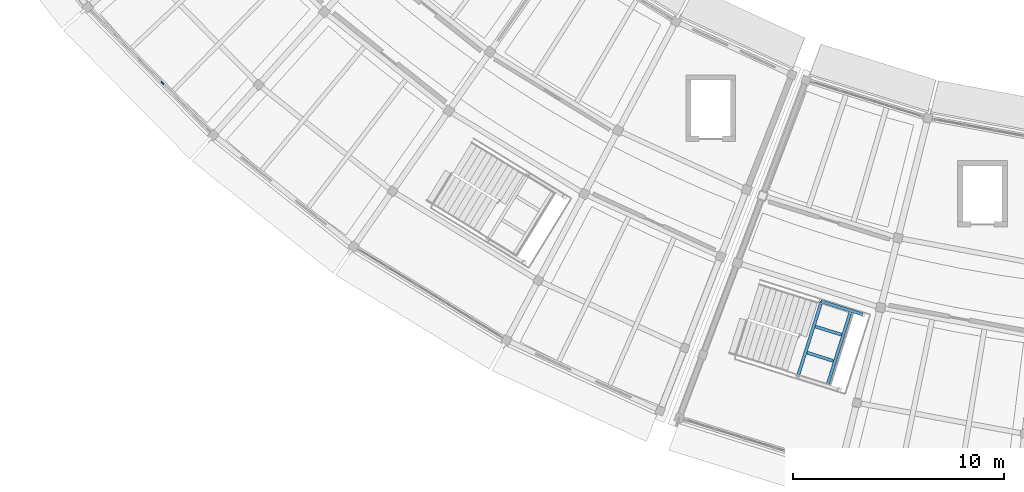
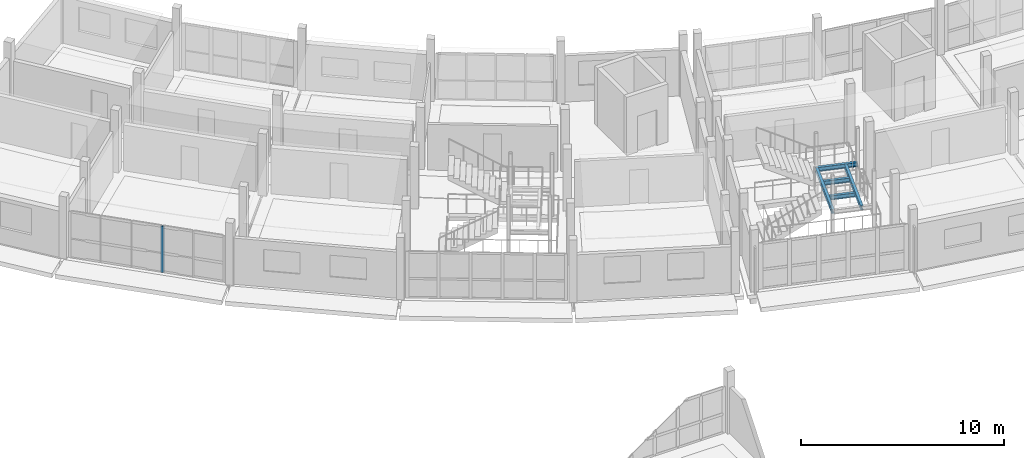
# One storey, part 18 of 77: 5 beams, 1 member, 1 element without a shape of its own.
"""IFC4 building model written with IfcOpenShell, lengths in metres."""

import ifcopenshell
import ifcopenshell.guid

model = None  # the IFC model being written
_history = None  # IfcOwnerHistory: only IFC2X3 demands one
_inside = {}  # id of a spatial element -> (the spatial element, [elements in it])
_under = {}  # id of a project, library or spatial element -> (it, [spatial elements below it])
_declared = {}  # id of a project -> (the project, [libraries it declares])
_typed = {}  # id of a type object -> (the type object, [elements of that type])
_made_of = {}  # id of a material, layer set ... -> (it, [elements and type objects made of it])


def new_model(schema):
    """Start an empty IFC model of exactly this schema.

    Asked for "IFC4X3", IfcOpenShell would pick the latest addendum, in which some entities
    have other attributes; the version numbers below select the first issue.
    IFC2X3 requires an IfcOwnerHistory on every rooted entity: one is made here for all.
    """
    global model, _history
    if schema == "IFC4X3":
        model = ifcopenshell.file(schema_version=(4, 3, 0, 0))
    else:
        model = ifcopenshell.file(schema=schema)
    _inside.clear()
    _under.clear()
    _declared.clear()
    _typed.clear()
    _made_of.clear()
    _history = None
    if model.schema == "IFC2X3":
        org = make("IfcOrganization", Name="unknown")
        user = make(
            "IfcPersonAndOrganization",
            ThePerson=make("IfcPerson", FamilyName="unknown"),
            TheOrganization=org,
        )
        app = make(
            "IfcApplication",
            ApplicationDeveloper=org,
            Version="unknown",
            ApplicationFullName="unknown",
            ApplicationIdentifier="unknown",
        )
        _history = make(
            "IfcOwnerHistory",
            OwningUser=user,
            OwningApplication=app,
            ChangeAction="ADDED",
            CreationDate=0,
        )
    return model


def make(cls, **values):
    """One entity of the class cls with the attributes given. An attribute that is None is left unset."""
    return model.create_entity(
        cls, **{name: value for name, value in values.items() if value is not None}
    )


def rooted(cls, **values):
    """An entity with a GlobalId (a new one), such as an element, a storey or a relation."""
    return make(cls, GlobalId=ifcopenshell.guid.new(), OwnerHistory=_history, **values)


def si_unit(unit_type, name, prefix=None):
    """IfcSIUnit, for example si_unit("LENGTHUNIT", "METRE", prefix="MILLI")."""
    return make("IfcSIUnit", UnitType=unit_type, Prefix=prefix, Name=name)


def assignment(units):
    """IfcUnitAssignment: the units of a project."""
    return None if units is None else make("IfcUnitAssignment", Units=units)


def point(xyz):
    """IfcCartesianPoint."""
    return None if xyz is None else make("IfcCartesianPoint", Coordinates=xyz)


def direction(xyz):
    """IfcDirection."""
    return None if xyz is None else make("IfcDirection", DirectionRatios=xyz)


def frame(location, z_axis=None, x_axis=None):
    """IfcAxis2Placement3D, a coordinate frame: its origin and axes. An axis left out is left unset."""
    return make(
        "IfcAxis2Placement3D",
        Location=point(location),
        Axis=direction(z_axis),
        RefDirection=direction(x_axis),
    )


def frame_2d(location, x_axis=None):
    """IfcAxis2Placement2D, a coordinate frame in the plane: its origin and x axis."""
    return make(
        "IfcAxis2Placement2D", Location=point(location), RefDirection=direction(x_axis)
    )


def origin():
    """The frame at (0, 0, 0) with its axes left unset."""
    return frame((0.0, 0.0, 0.0))


def origin_2d():
    """The frame at (0, 0) in the plane with its x axis left unset."""
    return frame_2d((0.0, 0.0))


def place(relative_to, where):
    """IfcLocalPlacement: puts the frame where relative to a parent placement (None: the world)."""
    return make(
        "IfcLocalPlacement", PlacementRelTo=relative_to, RelativePlacement=where
    )


def context(
    kind, dimensions, precision=None, world=None, true_north=None, identifier=None
):
    """IfcGeometricRepresentationContext, for example the 3D "Model" context."""
    return make(
        "IfcGeometricRepresentationContext",
        ContextIdentifier=identifier,
        ContextType=kind,
        CoordinateSpaceDimension=dimensions,
        Precision=precision,
        WorldCoordinateSystem=world,
        TrueNorth=true_north,
    )


def subcontext(parent, identifier, kind, view, scale=None):
    """IfcGeometricRepresentationSubContext, for example "Body" below "Model"."""
    return make(
        "IfcGeometricRepresentationSubContext",
        ContextIdentifier=identifier,
        ContextType=kind,
        ParentContext=parent,
        TargetScale=scale,
        TargetView=view,
    )


def project(units=None, contexts=None):
    """IfcProject with its units and contexts."""
    return rooted(
        "IfcProject",
        Name="project",
        RepresentationContexts=contexts,
        UnitsInContext=assignment(units),
    )


def spatial(cls, under=None, at=None, **own):
    """A site, building, storey or space (cls), placed at a placement, below another one or the project."""
    s = rooted(cls, ObjectPlacement=at, **own)
    if under is not None:
        _under.setdefault(under.id(), (under, []))[1].append(s)
    return s


def profile(cls, at=None, kind="AREA", **sizes):
    """A parametric profile (cls). Its sizes go by their IFC names, for example OverallWidth=200.0."""
    return make(cls, ProfileType=kind, Position=at, **sizes)


def rectangle(**sizes):
    """IfcRectangleProfileDef."""
    return profile("IfcRectangleProfileDef", **sizes)


def i_section(**sizes):
    """IfcIShapeProfileDef."""
    return profile("IfcIShapeProfileDef", **sizes)


def extrude(swept, where, along, depth):
    """IfcExtrudedAreaSolid: the profile swept, set in the frame where, extruded along a direction by depth."""
    return make(
        "IfcExtrudedAreaSolid",
        SweptArea=swept,
        Position=where,
        ExtrudedDirection=direction(along),
        Depth=depth,
    )


def shape(context_of_items, identifier, shape_type, items):
    """IfcShapeRepresentation: the items that make up one representation, for example the "Body"."""
    return make(
        "IfcShapeRepresentation",
        ContextOfItems=context_of_items,
        RepresentationIdentifier=identifier,
        RepresentationType=shape_type,
        Items=items,
    )


def material(Name=None, Category=None):
    """IfcMaterial."""
    return make("IfcMaterial", Name=Name, Category=Category)


def layer(
    of_material, thickness, ventilated=None, Name=None, Category=None, Priority=None
):
    """IfcMaterialLayer: one layer of a wall or slab, of a material (None: an air gap)."""
    return make(
        "IfcMaterialLayer",
        Material=of_material,
        LayerThickness=thickness,
        IsVentilated=ventilated,
        Name=Name,
        Category=Category,
        Priority=Priority,
    )


def layer_set(layers, Name=None):
    """IfcMaterialLayerSet."""
    return make("IfcMaterialLayerSet", MaterialLayers=layers, LayerSetName=Name)


def material_profile(
    of_material, cross_section, Name=None, Category=None, Priority=None
):
    """IfcMaterialProfile: a cross section and its material."""
    return make(
        "IfcMaterialProfile",
        Name=Name,
        Material=of_material,
        Profile=cross_section,
        Priority=Priority,
        Category=Category,
    )


def profile_set(profiles, Name=None, composite=None):
    """IfcMaterialProfileSet."""
    return make(
        "IfcMaterialProfileSet",
        Name=Name,
        MaterialProfiles=profiles,
        CompositeProfile=composite,
    )


def made_of(thing, what):
    """Note that an element or type object is made of a material, layer set ...; save() writes the relation."""
    if what is not None:
        _made_of.setdefault(what.id(), (what, []))[1].append(thing)
    return thing


def type_object(cls, material=None, **own):
    """A type object (cls), such as IfcWallType, which elements share."""
    return made_of(rooted(cls, **own), material)


def element(
    cls,
    number,
    at=None,
    inside=None,
    cuts=None,
    type_object=None,
    material=None,
    context=None,
    identifier="Body",
    shape_type=None,
    held_by="IfcProductDefinitionShape",
    body=None,
    shapes=None,
    **own,
):
    """One element of the class cls, such as IfcWall. Its Tag is "e" and its number.

    at: its placement. inside: the storey or other place that contains it. cuts: it is an
    opening in that element (IfcRelVoidsElement). A single representation is given by context,
    identifier, shape_type and body (its items); several are given by shapes. held_by: the class
    of the entity that holds the representations. save() writes the other relations.
    """
    e = rooted(cls, Tag="e%d" % number, ObjectPlacement=at, **own)
    if body is not None:
        shapes = [shape(context, identifier, shape_type, body)]
    if shapes is not None:
        e.Representation = make(held_by, Representations=shapes)
    if inside is not None:
        _inside.setdefault(inside.id(), (inside, []))[1].append(e)
    if cuts is not None:
        rooted(
            "IfcRelVoidsElement", RelatingBuildingElement=cuts, RelatedOpeningElement=e
        )
    if type_object is not None:
        _typed.setdefault(type_object.id(), (type_object, []))[1].append(e)
    return made_of(e, material)


def aggregate(whole, parts):
    """IfcRelAggregates: a whole, such as a stair, and the parts it consists of."""
    return rooted("IfcRelAggregates", RelatingObject=whole, RelatedObjects=parts)


def save(model, path):
    """Write the relations noted so far, then the file.

    IfcRelAggregates (storeys below a building ...), IfcRelContainedInSpatialStructure (elements
    in a storey), IfcRelDefinesByType, IfcRelAssociatesMaterial and IfcRelDeclares: one each for
    every whole, place, type object, material and project.
    """
    for whole, parts in _under.values():
        aggregate(whole, parts)
    for where, things in _inside.values():
        rooted(
            "IfcRelContainedInSpatialStructure",
            RelatedElements=things,
            RelatingStructure=where,
        )
    for kind, things in _typed.values():
        rooted("IfcRelDefinesByType", RelatedObjects=things, RelatingType=kind)
    for what, things in _made_of.values():
        rooted("IfcRelAssociatesMaterial", RelatedObjects=things, RelatingMaterial=what)
    for by, libraries in _declared.values():
        rooted("IfcRelDeclares", RelatingContext=by, RelatedDefinitions=libraries)
    model.write(path)


model = new_model("IFC4")

# Units and contexts
model_context = context("Model", 3, precision=1e-05, world=origin(), true_north=direction((0.0, 1.0)))
body_context = subcontext(model_context, "Body", "Model", "MODEL_VIEW")
ifc_project = project(units=[si_unit("LENGTHUNIT", "METRE"), si_unit("AREAUNIT", "SQUARE_METRE"), si_unit("VOLUMEUNIT", "CUBIC_METRE"), si_unit("PLANEANGLEUNIT", "RADIAN"), si_unit("MASSUNIT", "GRAM", prefix="KILO")], contexts=[model_context])

# Site, building, storey
site_placement = place(None, origin())
site = spatial("IfcSite", under=ifc_project, at=site_placement, CompositionType="ELEMENT")
building_placement = place(site_placement, origin())
building = spatial("IfcBuilding", under=site, at=building_placement, Name="Caldaven Crescent School", CompositionType="ELEMENT")
storey_placement = place(building_placement, frame((0.0, 0.0, 4.419921875)))
storey = spatial("IfcBuildingStorey", under=building, at=storey_placement, Name="L01", CompositionType="ELEMENT", Elevation=4.419921875)

# Beams
ifc_material_1 = material(Name="Steel ASTM A572 Grade 50", Category="steel")
ifc_material_profile_1 = material_profile(ifc_material_1, i_section(OverallWidth=0.14599609375, OverallDepth=0.258056640625, WebThickness=0.006103515625, FlangeThickness=0.009033203125, FilletRadius=0.011962890625, at=origin_2d()), Name="W250x33")
ifc_profile_set_1 = profile_set([ifc_material_profile_1], Name="Steel ASTM A572 Grade 50")
beam_type_1 = type_object("IfcBeamType", Name="BM-W25", PredefinedType="BEAM", material=ifc_profile_set_1)
beam_placement = place(storey_placement, frame((70.245849609375, 36.431884765625, 1.546142578125), z_axis=(0.953686771574, -0.300801498874, 0.0), x_axis=(0.300801498874, 0.953686771574, 0.0)))
element("IfcBeam", 1, at=beam_placement, inside=storey, type_object=beam_type_1, Name="BM-STSIDE-ST2-L01-SR", PredefinedType="BEAM", context=body_context, shape_type="SweptSolid", body=[
    extrude(i_section(OverallWidth=0.14599609375, OverallDepth=0.258056640625, WebThickness=0.006103515625, FlangeThickness=0.009033203125, FilletRadius=0.011962890625, at=origin_2d()), origin(), (0.0, 0.0, 1.0), 2.08984375),
])
for number, where, z_axis, x_axis, name in (
    (2, (69.149658203125, 32.85595703125, 1.546142578125), (0.300734578137, 0.953707876403, 0.0), (-0.953707876403, 0.300734578137, 0.0), "BM-STLND-ST2-L01-IN"),
    (3, (70.542236328125, 32.416748046875, 1.546142578125), (0.300675202446, 0.953726597424, 0.0), (-0.953726597424, 0.300675202446, 0.0), "BM-STLND-ST2-L01-OUT"),
):
    element("IfcBeam", number, at=place(storey_placement, frame(where, z_axis=z_axis, x_axis=x_axis)), inside=storey, type_object=beam_type_1, Name=name, PredefinedType="BEAM", context=body_context, shape_type="SweptSolid", body=[
        extrude(i_section(OverallWidth=0.14599609375, OverallDepth=0.258056640625, WebThickness=0.006103515625, FlangeThickness=0.009033203125, FilletRadius=0.011962890625, at=origin_2d()), origin(), (0.0, 0.0, 1.0), 3.739990234375),
    ])

# Curtain wall, member
ifc_material_2 = material(Name="Anodised aluminium AA 6063-T6 and low-E double glazing", Category="aluminium")
ifc_layer = layer(ifc_material_2, 0.169921875)
ifc_layer_set = layer_set([ifc_layer], Name="Anodised aluminium AA 6063-T6 and low-E double glazing")
curtain_wall_type = type_object("IfcCurtainWallType", Name="CW-SYS1", PredefinedType="NOTDEFINED", material=ifc_layer_set)
curtain_wall_placement = place(storey_placement, origin())
curtain_wall = element("IfcCurtainWall", 4, at=curtain_wall_placement, inside=storey, type_object=curtain_wall_type, Name="CW-L01-118", PredefinedType="NOTDEFINED")
ifc_material_3 = material(Name="Anodised aluminium AA 6063-T6", Category="aluminium")
ifc_material_profile_2 = material_profile(ifc_material_3, rectangle(XDim=0.06494140625, YDim=0.179931640625, at=origin_2d()), Name="CWM 65x180")
ifc_profile_set_2 = profile_set([ifc_material_profile_2], Name="Anodised aluminium AA 6063-T6")
member_type = type_object("IfcMemberType", Name="CWM-T2", PredefinedType="MULLION", material=ifc_profile_set_2)
member_placement = place(storey_placement, frame((39.0390625, 46.77978515625, 0.0), z_axis=(0.0, 0.0, 1.0), x_axis=(0.713250774972, 0.700908932745, 0.0)))
member = element("IfcMember", 5, at=member_placement, type_object=member_type, Name="CW1 mullion 4", PredefinedType="MULLION", context=body_context, shape_type="SweptSolid", body=[
    extrude(rectangle(XDim=0.06494140625, YDim=0.179931640625, at=origin_2d()), origin(), (0.0, 0.0, 1.0), 2.780029296875),
])
aggregate(curtain_wall, [member])

# Beams
ifc_material_profile_3 = material_profile(ifc_material_1, i_section(OverallWidth=0.14599609375, OverallDepth=0.258056640625, WebThickness=0.006103515625, FlangeThickness=0.009033203125, FilletRadius=0.011962890625, at=origin_2d()), Name="W250x33")
ifc_profile_set_3 = profile_set([ifc_material_profile_3], Name="Steel ASTM A572 Grade 50")
beam_type_2 = type_object("IfcBeamType", Name="LN-W25", PredefinedType="LINTEL", material=ifc_profile_set_3)
for number, where, z_axis, x_axis, name in (
    (6, (69.593017578125, 33.995361328125, 1.546142578125), (0.953721650171, -0.300690894432, 0.0), (0.300690894432, 0.953721650171, 0.0), "BM-STJST-ST2-L01-JL"),
    (7, (69.98388671875, 35.235107421875, 1.546142578125), (0.953721650171, -0.300690894432, 0.0), (0.300690894432, 0.953721650171, 0.0), "BM-STJST-ST2-L01-JR"),
):
    element("IfcBeam", number, at=place(storey_placement, frame(where, z_axis=z_axis, x_axis=x_axis)), inside=storey, type_object=beam_type_2, Name=name, PredefinedType="LINTEL", context=body_context, shape_type="SweptSolid", body=[
        extrude(i_section(OverallWidth=0.14599609375, OverallDepth=0.258056640625, WebThickness=0.006103515625, FlangeThickness=0.009033203125, FilletRadius=0.011962890625, at=origin_2d()), origin(), (0.0, 0.0, 1.0), 1.2998046875),
    ])

save(model, "model.ifc")
